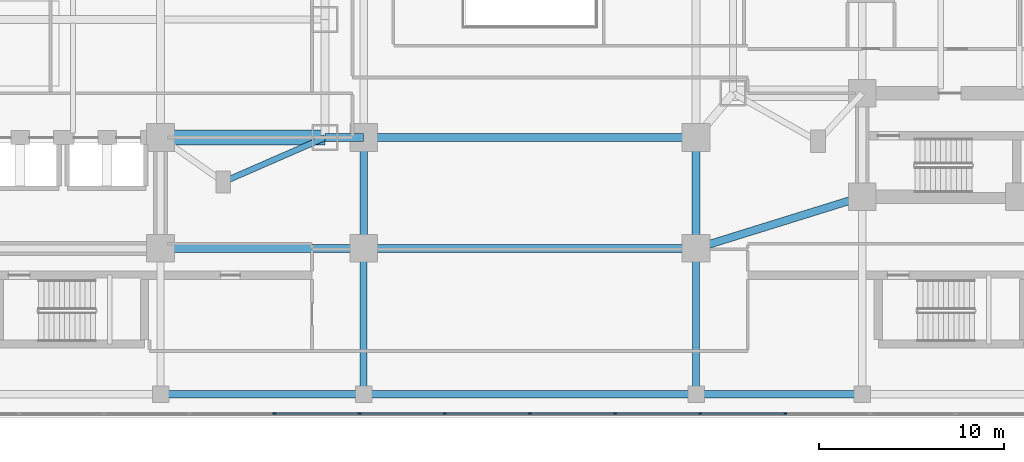
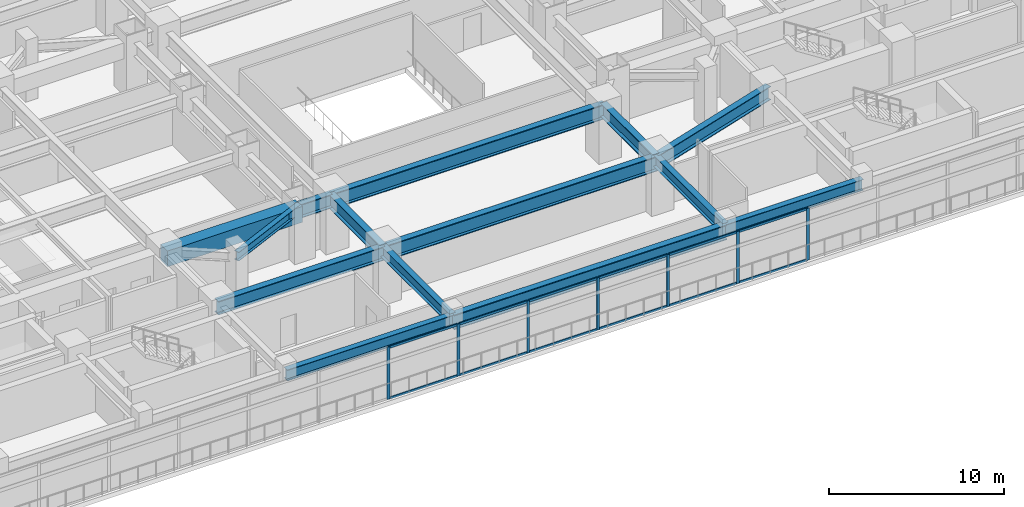
# One storey, part 4 of 26: 19 members, 14 beams, 1 element without a shape of its own.
"""IFC4 building model written with IfcOpenShell, lengths in metres."""

from ifc_helpers import new_model, si_unit, direction, frame, origin, origin_2d, place, context, subcontext, project, spatial, rectangle, i_section, extrude, material, material_profile, profile_set, type_object, element, aggregate, save


model = new_model("IFC4")

# Units and contexts
model_context = context("Model", 3, precision=1e-05, world=origin(), true_north=direction((0.0, 1.0)))
body_context = subcontext(model_context, "Body", "Model", "MODEL_VIEW")
ifc_project = project(units=[si_unit("LENGTHUNIT", "METRE"), si_unit("AREAUNIT", "SQUARE_METRE"), si_unit("VOLUMEUNIT", "CUBIC_METRE"), si_unit("PLANEANGLEUNIT", "RADIAN"), si_unit("MASSUNIT", "GRAM", prefix="KILO")], contexts=[model_context])

# Site, building, storey
site_placement = place(None, origin())
site = spatial("IfcSite", under=ifc_project, at=site_placement, CompositionType="ELEMENT")
building_placement = place(site_placement, origin())
building = spatial("IfcBuilding", under=site, at=building_placement, Name="Mirazonda Arch Towers", CompositionType="ELEMENT")
storey_placement = place(building_placement, frame((0.0, 0.0, 13.800048828125)))
storey = spatial("IfcBuildingStorey", under=building, at=storey_placement, Name="L03", CompositionType="ELEMENT", Elevation=13.800048828125)

# Beams
ifc_material_1 = material(Name="Steel ASTM A992 Grade 50", Category="steel")
ifc_material_profile_1 = material_profile(ifc_material_1, i_section(OverallWidth=0.381103515625, OverallDepth=0.77294921875, WebThickness=0.0166015625, FlangeThickness=0.027099609375, at=origin_2d()), Name="W30X173")
ifc_profile_set_1 = profile_set([ifc_material_profile_1], Name="Steel ASTM A992 Grade 50")
beam_type_1 = type_object("IfcBeamType", Name="BM-EXT-W30X173", PredefinedType="USERDEFINED", material=ifc_profile_set_1)
beam_1_placement = place(storey_placement, frame((30.0, 4.5, 3.263427734375), z_axis=(1.0, 0.0, 0.0), x_axis=(0.0, 1.0, 0.0)))
element("IfcBeam", 1, at=beam_1_placement, inside=storey, type_object=beam_type_1, Name="L03 Floor Beam BM-POD-L03-PS-3", ObjectType="GIRDER", PredefinedType="USERDEFINED", context=body_context, shape_type="SweptSolid", body=[
    extrude(i_section(OverallWidth=0.381103515625, OverallDepth=0.77294921875, WebThickness=0.0166015625, FlangeThickness=0.027099609375, at=origin_2d()), origin(), (0.0, 0.0, 1.0), 11.0),
])
beam_2_placement = place(storey_placement, frame((59.0, 4.5, 3.263427734375), z_axis=(1.0, 0.0, 0.0), x_axis=(0.0, 1.0, 0.0)))
element("IfcBeam", 2, at=beam_2_placement, inside=storey, type_object=beam_type_1, Name="L03 Floor Beam BM-POD-L03-PS-4", ObjectType="GIRDER", PredefinedType="USERDEFINED", context=body_context, shape_type="SweptSolid", body=[
    extrude(i_section(OverallWidth=0.381103515625, OverallDepth=0.77294921875, WebThickness=0.0166015625, FlangeThickness=0.027099609375, at=origin_2d()), origin(), (0.0, 0.0, 1.0), 9.0),
])
ifc_material_profile_2 = material_profile(ifc_material_1, i_section(OverallWidth=0.423095703125, OverallDepth=0.947998046875, WebThickness=0.02392578125, FlangeThickness=0.042724609375, at=origin_2d()), Name="W36X302")
ifc_profile_set_2 = profile_set([ifc_material_profile_2], Name="Steel ASTM A992 Grade 50")
beam_type_2 = type_object("IfcBeamType", Name="BM-EXT-W36X302", PredefinedType="USERDEFINED", material=ifc_profile_set_2)
for number, where, z_axis, x_axis, name in (
    (3, (41.0, 12.39990234375, 3.176025390625), (0.0, 1.0, 0.0), (-1.0, 0.0, 0.0), "L03 Floor Beam BM-POD-L03-PA-WL1"),
    (4, (59.0, 12.39990234375, 3.176025390625), (0.0, 1.0, 0.0), (-1.0, 0.0, 0.0), "L03 Floor Beam BM-POD-L03-PA-EL1"),
):
    element("IfcBeam", number, at=place(storey_placement, frame(where, z_axis=z_axis, x_axis=x_axis)), inside=storey, type_object=beam_type_2, Name=name, ObjectType="GIRDER", PredefinedType="USERDEFINED", context=body_context, shape_type="SweptSolid", body=[
        extrude(i_section(OverallWidth=0.423095703125, OverallDepth=0.947998046875, WebThickness=0.02392578125, FlangeThickness=0.042724609375, at=origin_2d()), origin(), (0.0, 0.0, 1.0), 6.0),
    ])
ifc_material_profile_3 = material_profile(ifc_material_1, i_section(OverallWidth=0.419921875, OverallDepth=1.0400390625, WebThickness=0.031005859375, FlangeThickness=0.055908203125, at=origin_2d()), Name="W40X397")
ifc_profile_set_3 = profile_set([ifc_material_profile_3], Name="Steel ASTM A992 Grade 50")
beam_type_3 = type_object("IfcBeamType", Name="BM-EXT-W40X397", PredefinedType="USERDEFINED", material=ifc_profile_set_3)
beam_3_placement = place(storey_placement, frame((41.0, 4.5, 3.1298828125), z_axis=(1.0, 0.0, 0.0), x_axis=(0.0, 1.0, 0.0)))
element("IfcBeam", 5, at=beam_3_placement, inside=storey, type_object=beam_type_3, Name="L03 Floor Beam BM-POD-L03-PARCH-1", ObjectType="GIRDER", PredefinedType="USERDEFINED", context=body_context, shape_type="SweptSolid", body=[
    extrude(i_section(OverallWidth=0.419921875, OverallDepth=1.0400390625, WebThickness=0.031005859375, FlangeThickness=0.055908203125, at=origin_2d()), origin(), (0.0, 0.0, 1.0), 18.0),
])
ifc_material_profile_4 = material_profile(ifc_material_1, i_section(OverallWidth=0.324951171875, OverallDepth=0.615966796875, WebThickness=0.013916015625, FlangeThickness=0.021484375, at=origin_2d()), Name="W24X117")
ifc_profile_set_4 = profile_set([ifc_material_profile_4], Name="Steel ASTM A992 Grade 50")
beam_type_4 = type_object("IfcBeamType", Name="BM-INT-W24X117", PredefinedType="BEAM", material=ifc_profile_set_4)
beam_4_placement = place(storey_placement, frame((33.39990234375, 16.0, 3.342041015625), z_axis=(0.916545343703, 0.399930785183, 0.0), x_axis=(-0.399930785183, 0.916545343703, 0.0)))
element("IfcBeam", 6, at=beam_4_placement, inside=storey, type_object=beam_type_4, Name="L03 Floor Beam BM-T1-L03-PL-SE2", PredefinedType="BEAM", context=body_context, shape_type="SweptSolid", body=[
    extrude(i_section(OverallWidth=0.324951171875, OverallDepth=0.615966796875, WebThickness=0.013916015625, FlangeThickness=0.021484375, at=origin_2d()), origin(), (0.0, 0.0, 1.0), 6.000732421875),
])
ifc_material_profile_5 = material_profile(ifc_material_1, i_section(OverallWidth=0.381103515625, OverallDepth=0.77294921875, WebThickness=0.0166015625, FlangeThickness=0.027099609375, at=origin_2d()), Name="W30X173")
ifc_profile_set_5 = profile_set([ifc_material_profile_5], Name="Steel ASTM A992 Grade 50")
beam_type_5 = type_object("IfcBeamType", Name="BM-INT-W30X173", PredefinedType="USERDEFINED", material=ifc_profile_set_5)
for number, where, z_axis, x_axis, name in (
    (7, (41.0, 4.5, 3.263427734375), (0.0, 1.0, 0.0), (-1.0, 0.0, 0.0), "L03 Floor Beam BM-POD-L03-PCS-4"),
    (8, (59.0, 4.5, 3.263427734375), (0.0, 1.0, 0.0), (-1.0, 0.0, 0.0), "L03 Floor Beam BM-POD-L03-PCS-5"),
):
    element("IfcBeam", number, at=place(storey_placement, frame(where, z_axis=z_axis, x_axis=x_axis)), inside=storey, type_object=beam_type_5, Name=name, ObjectType="GIRDER", PredefinedType="USERDEFINED", context=body_context, shape_type="SweptSolid", body=[
        extrude(i_section(OverallWidth=0.381103515625, OverallDepth=0.77294921875, WebThickness=0.0166015625, FlangeThickness=0.027099609375, at=origin_2d()), origin(), (0.0, 0.0, 1.0), 7.89990234375),
    ])
ifc_material_profile_6 = material_profile(ifc_material_1, i_section(OverallWidth=0.423095703125, OverallDepth=0.947998046875, WebThickness=0.02392578125, FlangeThickness=0.042724609375, at=origin_2d()), Name="W36X302")
ifc_profile_set_6 = profile_set([ifc_material_profile_6], Name="Steel ASTM A992 Grade 50")
beam_type_6 = type_object("IfcBeamType", Name="BM-INT-W36X302", PredefinedType="USERDEFINED", material=ifc_profile_set_6)
beam_5_placement = place(storey_placement, frame((30.0, 12.39990234375, 3.176025390625), z_axis=(1.0, 0.0, 0.0), x_axis=(0.0, 1.0, 0.0)))
element("IfcBeam", 9, at=beam_5_placement, inside=storey, type_object=beam_type_6, Name="L03 Floor Beam BM-POD-L03-PA-W1", ObjectType="GIRDER", PredefinedType="USERDEFINED", context=body_context, shape_type="SweptSolid", body=[
    extrude(i_section(OverallWidth=0.423095703125, OverallDepth=0.947998046875, WebThickness=0.02392578125, FlangeThickness=0.042724609375, at=origin_2d()), origin(), (0.0, 0.0, 1.0), 11.0),
])
beam_6_placement = place(storey_placement, frame((38.89990234375, 18.39990234375, 3.176025390625), z_axis=(1.0, 0.0, 0.0), x_axis=(0.0, 1.0, 0.0)))
element("IfcBeam", 10, at=beam_6_placement, inside=storey, type_object=beam_type_6, Name="L03 Floor Beam BM-POD-L03-PA-W2", ObjectType="GIRDER", PredefinedType="USERDEFINED", context=body_context, shape_type="SweptSolid", body=[
    extrude(i_section(OverallWidth=0.423095703125, OverallDepth=0.947998046875, WebThickness=0.02392578125, FlangeThickness=0.042724609375, at=origin_2d()), origin(), (0.0, 0.0, 1.0), 2.10009765625),
])
beam_7_placement = place(storey_placement, frame((59.0, 12.39990234375, 3.176025390625), z_axis=(0.954855306861, 0.29707127589, 0.0), x_axis=(-0.29707127589, 0.954855306861, 0.0)))
element("IfcBeam", 11, at=beam_7_placement, inside=storey, type_object=beam_type_6, Name="L03 Floor Beam BM-POD-L03-PA-E1", ObjectType="GIRDER", PredefinedType="USERDEFINED", context=body_context, shape_type="SweptSolid", body=[
    extrude(i_section(OverallWidth=0.423095703125, OverallDepth=0.947998046875, WebThickness=0.02392578125, FlangeThickness=0.042724609375, at=origin_2d()), origin(), (0.0, 0.0, 1.0), 9.425537109375),
])
ifc_material_profile_7 = material_profile(ifc_material_1, i_section(OverallWidth=0.419921875, OverallDepth=1.0400390625, WebThickness=0.031005859375, FlangeThickness=0.055908203125, at=origin_2d()), Name="W40X397")
ifc_profile_set_7 = profile_set([ifc_material_profile_7], Name="Steel ASTM A992 Grade 50")
beam_type_7 = type_object("IfcBeamType", Name="BM-INT-W40X397", PredefinedType="USERDEFINED", material=ifc_profile_set_7)
for number, where, z_axis, x_axis, name in (
    (12, (41.0, 12.39990234375, 3.1298828125), (1.0, 0.0, 0.0), (0.0, 1.0, 0.0), "L03 Floor Beam BM-POD-L03-PARCH-2"),
    (13, (41.0, 18.39990234375, 3.1298828125), (1.0, 0.0, 0.0), (0.0, 1.0, 0.0), "L03 Floor Beam BM-POD-L03-PARCH-3"),
):
    element("IfcBeam", number, at=place(storey_placement, frame(where, z_axis=z_axis, x_axis=x_axis)), inside=storey, type_object=beam_type_7, Name=name, ObjectType="GIRDER", PredefinedType="USERDEFINED", context=body_context, shape_type="SweptSolid", body=[
        extrude(i_section(OverallWidth=0.419921875, OverallDepth=1.0400390625, WebThickness=0.031005859375, FlangeThickness=0.055908203125, at=origin_2d()), origin(), (0.0, 0.0, 1.0), 18.0),
    ])
ifc_material_2 = material(Name="Concrete C60/75", Category="concrete")
ifc_material_profile_8 = material_profile(ifc_material_2, rectangle(XDim=0.800048828125, YDim=1.10009765625, at=origin_2d()), Name="RCCB800x1100")
ifc_profile_set_8 = profile_set([ifc_material_profile_8], Name="Concrete C60/75")
beam_type_8 = type_object("IfcBeamType", Name="CB-INT-RCCB800x1100", PredefinedType="SPANDREL", material=ifc_profile_set_8)
beam_8_placement = place(storey_placement, frame((30.0, 18.39990234375, 3.099853515625), z_axis=(1.0, 0.0, 0.0), x_axis=(0.0, 1.0, 0.0)))
element("IfcBeam", 14, at=beam_8_placement, inside=storey, type_object=beam_type_8, Name="L03 Floor Beam CB-T1-L03-SE", PredefinedType="SPANDREL", context=body_context, shape_type="SweptSolid", body=[
    extrude(rectangle(XDim=0.800048828125, YDim=1.10009765625, at=origin_2d()), origin(), (0.0, 0.0, 1.0), 8.89990234375),
])

# Curtain wall, members
ifc_material_3 = material(Name="Anodised Aluminium and Low-E Glass", Category="aluminium")
curtain_wall_type = type_object("IfcCurtainWallType", Name="CW-POD-STORE", PredefinedType="NOTDEFINED", material=ifc_material_3)
curtain_wall_placement = place(storey_placement, origin())
curtain_wall = element("IfcCurtainWall", 15, at=curtain_wall_placement, inside=storey, type_object=curtain_wall_type, Name="L03 Curtain Wall CW-L03-S1", PredefinedType="NOTDEFINED")
ifc_material_4 = material(Name="Anodised Aluminium Alloy", Category="aluminium")
ifc_material_profile_9 = material_profile(ifc_material_4, rectangle(XDim=0.080078125, YDim=0.179931640625, at=origin_2d()), Name="ALU-MULL-80x180")
ifc_profile_set_9 = profile_set([ifc_material_profile_9], Name="Anodised Aluminium Alloy")
member_type_1 = type_object("IfcMemberType", Name="MULL-CW-POD-STORE", PredefinedType="MULLION", material=ifc_profile_set_9)
member_1_placement = place(storey_placement, frame((63.833251953125, 3.469970703125, 0.0), z_axis=(0.0, 0.0, 1.0), x_axis=(0.0, -1.0, 0.0)))
member_1 = element("IfcMember", 16, at=member_1_placement, type_object=member_type_1, Name="CW-102 mullion 7", PredefinedType="MULLION", context=body_context, shape_type="SweptSolid", body=[
    extrude(rectangle(XDim=0.080078125, YDim=0.179931640625, at=origin_2d()), origin(), (0.0, 0.0, 1.0), 3.6298828125),
])
member_2_placement = place(storey_placement, frame((59.22216796875, 3.469970703125, 0.0), z_axis=(0.0, 0.0, 1.0), x_axis=(0.0, -1.0, 0.0)))
member_2 = element("IfcMember", 17, at=member_2_placement, type_object=member_type_1, Name="CW-102 mullion 8", PredefinedType="MULLION", context=body_context, shape_type="SweptSolid", body=[
    extrude(rectangle(XDim=0.080078125, YDim=0.179931640625, at=origin_2d()), origin(), (0.0, 0.0, 1.0), 3.6298828125),
])
member_3_placement = place(storey_placement, frame((54.611083984375, 3.469970703125, 0.0), z_axis=(0.0, 0.0, 1.0), x_axis=(0.0, -1.0, 0.0)))
member_3 = element("IfcMember", 18, at=member_3_placement, type_object=member_type_1, Name="CW-102 mullion 9", PredefinedType="MULLION", context=body_context, shape_type="SweptSolid", body=[
    extrude(rectangle(XDim=0.080078125, YDim=0.179931640625, at=origin_2d()), origin(), (0.0, 0.0, 1.0), 3.6298828125),
])
member_4_placement = place(storey_placement, frame((50.0, 3.469970703125, 0.0), z_axis=(0.0, 0.0, 1.0), x_axis=(0.0, -1.0, 0.0)))
member_4 = element("IfcMember", 19, at=member_4_placement, type_object=member_type_1, Name="CW-102 mullion 10", PredefinedType="MULLION", context=body_context, shape_type="SweptSolid", body=[
    extrude(rectangle(XDim=0.080078125, YDim=0.179931640625, at=origin_2d()), origin(), (0.0, 0.0, 1.0), 3.6298828125),
])
member_5_placement = place(storey_placement, frame((45.388916015625, 3.469970703125, 0.0), z_axis=(0.0, 0.0, 1.0), x_axis=(0.0, -1.0, 0.0)))
member_5 = element("IfcMember", 20, at=member_5_placement, type_object=member_type_1, Name="CW-102 mullion 11", PredefinedType="MULLION", context=body_context, shape_type="SweptSolid", body=[
    extrude(rectangle(XDim=0.080078125, YDim=0.179931640625, at=origin_2d()), origin(), (0.0, 0.0, 1.0), 3.6298828125),
])
member_6_placement = place(storey_placement, frame((40.77783203125, 3.469970703125, 0.0), z_axis=(0.0, 0.0, 1.0), x_axis=(0.0, -1.0, 0.0)))
member_6 = element("IfcMember", 21, at=member_6_placement, type_object=member_type_1, Name="CW-102 mullion 12", PredefinedType="MULLION", context=body_context, shape_type="SweptSolid", body=[
    extrude(rectangle(XDim=0.080078125, YDim=0.179931640625, at=origin_2d()), origin(), (0.0, 0.0, 1.0), 3.6298828125),
])
member_7_placement = place(storey_placement, frame((36.166748046875, 3.469970703125, 0.0), z_axis=(0.0, 0.0, 1.0), x_axis=(0.0, -1.0, 0.0)))
member_7 = element("IfcMember", 22, at=member_7_placement, type_object=member_type_1, Name="CW-102 mullion 13", PredefinedType="MULLION", context=body_context, shape_type="SweptSolid", body=[
    extrude(rectangle(XDim=0.080078125, YDim=0.179931640625, at=origin_2d()), origin(), (0.0, 0.0, 1.0), 3.6298828125),
])
ifc_material_profile_10 = material_profile(ifc_material_4, rectangle(XDim=0.080078125, YDim=0.159912109375, at=origin_2d()), Name="ALU-TRAN-80x160")
ifc_profile_set_10 = profile_set([ifc_material_profile_10], Name="Anodised Aluminium Alloy")
member_type_2 = type_object("IfcMemberType", Name="TRAN-CW-POD-STORE", PredefinedType="USERDEFINED", material=ifc_profile_set_10)
member_8_placement = place(storey_placement, frame((63.793212890625, 3.469970703125, 0.0400390625), z_axis=(-1.0, 0.0, 0.0), x_axis=(0.0, -1.0, 0.0)))
member_8 = element("IfcMember", 23, at=member_8_placement, type_object=member_type_2, Name="CW-102 transom 7.1", ObjectType="TRANSOM", PredefinedType="USERDEFINED", context=body_context, shape_type="SweptSolid", body=[
    extrude(rectangle(XDim=0.080078125, YDim=0.159912109375, at=origin_2d()), origin(), (0.0, 0.0, 1.0), 4.531005859375),
])
member_9_placement = place(storey_placement, frame((63.793212890625, 3.469970703125, 3.58984375), z_axis=(-1.0, 0.0, 0.0), x_axis=(0.0, -1.0, 0.0)))
member_9 = element("IfcMember", 24, at=member_9_placement, type_object=member_type_2, Name="CW-102 transom 7.2", ObjectType="TRANSOM", PredefinedType="USERDEFINED", context=body_context, shape_type="SweptSolid", body=[
    extrude(rectangle(XDim=0.080078125, YDim=0.159912109375, at=origin_2d()), origin(), (0.0, 0.0, 1.0), 4.531005859375),
])
member_10_placement = place(storey_placement, frame((59.18212890625, 3.469970703125, 0.0400390625), z_axis=(-1.0, 0.0, 0.0), x_axis=(0.0, -1.0, 0.0)))
member_10 = element("IfcMember", 25, at=member_10_placement, type_object=member_type_2, Name="CW-102 transom 8.1", ObjectType="TRANSOM", PredefinedType="USERDEFINED", context=body_context, shape_type="SweptSolid", body=[
    extrude(rectangle(XDim=0.080078125, YDim=0.159912109375, at=origin_2d()), origin(), (0.0, 0.0, 1.0), 4.531005859375),
])
member_11_placement = place(storey_placement, frame((59.18212890625, 3.469970703125, 3.58984375), z_axis=(-1.0, 0.0, 0.0), x_axis=(0.0, -1.0, 0.0)))
member_11 = element("IfcMember", 26, at=member_11_placement, type_object=member_type_2, Name="CW-102 transom 8.2", ObjectType="TRANSOM", PredefinedType="USERDEFINED", context=body_context, shape_type="SweptSolid", body=[
    extrude(rectangle(XDim=0.080078125, YDim=0.159912109375, at=origin_2d()), origin(), (0.0, 0.0, 1.0), 4.531005859375),
])
member_12_placement = place(storey_placement, frame((54.571044921875, 3.469970703125, 0.0400390625), z_axis=(-1.0, 0.0, 0.0), x_axis=(0.0, -1.0, 0.0)))
member_12 = element("IfcMember", 27, at=member_12_placement, type_object=member_type_2, Name="CW-102 transom 9.1", ObjectType="TRANSOM", PredefinedType="USERDEFINED", context=body_context, shape_type="SweptSolid", body=[
    extrude(rectangle(XDim=0.080078125, YDim=0.159912109375, at=origin_2d()), origin(), (0.0, 0.0, 1.0), 4.531005859375),
])
member_13_placement = place(storey_placement, frame((54.571044921875, 3.469970703125, 3.58984375), z_axis=(-1.0, 0.0, 0.0), x_axis=(0.0, -1.0, 0.0)))
member_13 = element("IfcMember", 28, at=member_13_placement, type_object=member_type_2, Name="CW-102 transom 9.2", ObjectType="TRANSOM", PredefinedType="USERDEFINED", context=body_context, shape_type="SweptSolid", body=[
    extrude(rectangle(XDim=0.080078125, YDim=0.159912109375, at=origin_2d()), origin(), (0.0, 0.0, 1.0), 4.531005859375),
])
member_14_placement = place(storey_placement, frame((49.9599609375, 3.469970703125, 0.0400390625), z_axis=(-1.0, 0.0, 0.0), x_axis=(0.0, -1.0, 0.0)))
member_14 = element("IfcMember", 29, at=member_14_placement, type_object=member_type_2, Name="CW-102 transom 10.1", ObjectType="TRANSOM", PredefinedType="USERDEFINED", context=body_context, shape_type="SweptSolid", body=[
    extrude(rectangle(XDim=0.080078125, YDim=0.159912109375, at=origin_2d()), origin(), (0.0, 0.0, 1.0), 4.531005859375),
])
member_15_placement = place(storey_placement, frame((49.9599609375, 3.469970703125, 3.58984375), z_axis=(-1.0, 0.0, 0.0), x_axis=(0.0, -1.0, 0.0)))
member_15 = element("IfcMember", 30, at=member_15_placement, type_object=member_type_2, Name="CW-102 transom 10.2", ObjectType="TRANSOM", PredefinedType="USERDEFINED", context=body_context, shape_type="SweptSolid", body=[
    extrude(rectangle(XDim=0.080078125, YDim=0.159912109375, at=origin_2d()), origin(), (0.0, 0.0, 1.0), 4.531005859375),
])
member_16_placement = place(storey_placement, frame((45.348876953125, 3.469970703125, 0.0400390625), z_axis=(-1.0, 0.0, 0.0), x_axis=(0.0, -1.0, 0.0)))
member_16 = element("IfcMember", 31, at=member_16_placement, type_object=member_type_2, Name="CW-102 transom 11.1", ObjectType="TRANSOM", PredefinedType="USERDEFINED", context=body_context, shape_type="SweptSolid", body=[
    extrude(rectangle(XDim=0.080078125, YDim=0.159912109375, at=origin_2d()), origin(), (0.0, 0.0, 1.0), 4.531005859375),
])
member_17_placement = place(storey_placement, frame((45.348876953125, 3.469970703125, 3.58984375), z_axis=(-1.0, 0.0, 0.0), x_axis=(0.0, -1.0, 0.0)))
member_17 = element("IfcMember", 32, at=member_17_placement, type_object=member_type_2, Name="CW-102 transom 11.2", ObjectType="TRANSOM", PredefinedType="USERDEFINED", context=body_context, shape_type="SweptSolid", body=[
    extrude(rectangle(XDim=0.080078125, YDim=0.159912109375, at=origin_2d()), origin(), (0.0, 0.0, 1.0), 4.531005859375),
])
member_18_placement = place(storey_placement, frame((40.73779296875, 3.469970703125, 0.0400390625), z_axis=(-1.0, 0.0, 0.0), x_axis=(0.0, -1.0, 0.0)))
member_18 = element("IfcMember", 33, at=member_18_placement, type_object=member_type_2, Name="CW-102 transom 12.1", ObjectType="TRANSOM", PredefinedType="USERDEFINED", context=body_context, shape_type="SweptSolid", body=[
    extrude(rectangle(XDim=0.080078125, YDim=0.159912109375, at=origin_2d()), origin(), (0.0, 0.0, 1.0), 4.531005859375),
])
member_19_placement = place(storey_placement, frame((40.73779296875, 3.469970703125, 3.58984375), z_axis=(-1.0, 0.0, 0.0), x_axis=(0.0, -1.0, 0.0)))
member_19 = element("IfcMember", 34, at=member_19_placement, type_object=member_type_2, Name="CW-102 transom 12.2", ObjectType="TRANSOM", PredefinedType="USERDEFINED", context=body_context, shape_type="SweptSolid", body=[
    extrude(rectangle(XDim=0.080078125, YDim=0.159912109375, at=origin_2d()), origin(), (0.0, 0.0, 1.0), 4.531005859375),
])
aggregate(curtain_wall, [member_1, member_2, member_3, member_4, member_5, member_6, member_7, member_8, member_9, member_10, member_11, member_12, member_13, member_14, member_15, member_16, member_17, member_18, member_19])

save(model, "model.ifc")
